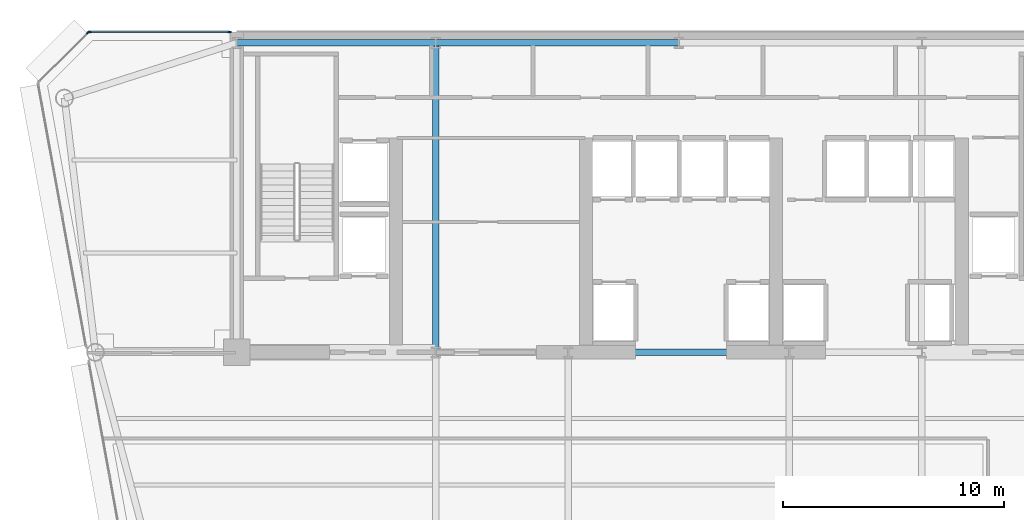
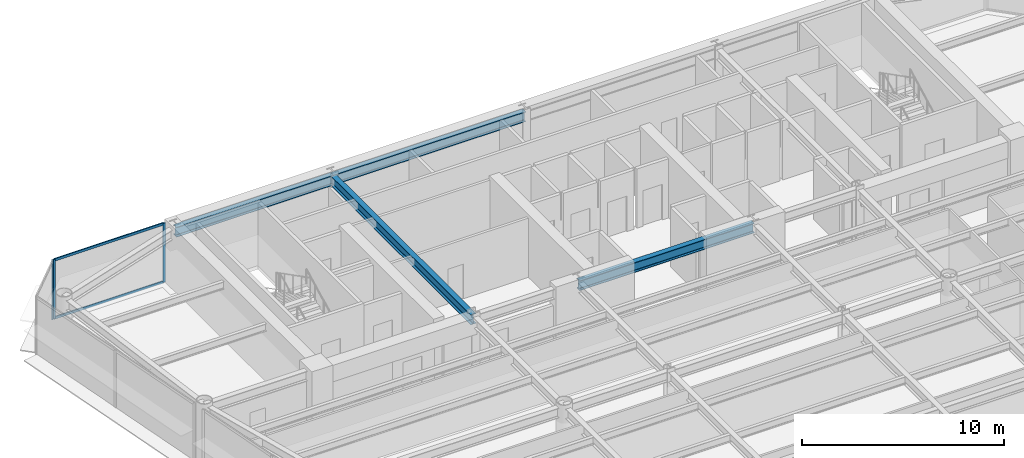
# One storey, part 8 of 17: 5 members, 4 beams, 2 elements without a shape of their own.
"""IFC4 building model written with IfcOpenShell, lengths in metres."""

from ifc_helpers import new_model, si_unit, direction, frame, origin, origin_2d, place, context, subcontext, project, spatial, rectangle, i_section, extrude, source, transform, mapped, material, layer, layer_set, material_profile, profile_set, type_object, element, aggregate, save


model = new_model("IFC4")

# Units and contexts
model_context = context("Model", 3, precision=1e-05, world=origin(), true_north=direction((0.0, 1.0)))
body_context = subcontext(model_context, "Body", "Model", "MODEL_VIEW")
ifc_project = project(units=[si_unit("LENGTHUNIT", "METRE"), si_unit("AREAUNIT", "SQUARE_METRE"), si_unit("VOLUMEUNIT", "CUBIC_METRE"), si_unit("PLANEANGLEUNIT", "RADIAN"), si_unit("MASSUNIT", "GRAM", prefix="KILO")], contexts=[model_context])

# Site, building, storey
site_placement = place(None, origin())
site = spatial("IfcSite", under=ifc_project, at=site_placement, CompositionType="ELEMENT")
building_placement = place(site_placement, origin())
building = spatial("IfcBuilding", under=site, at=building_placement, Name="Vaeldorn Concourse Tower", CompositionType="ELEMENT")
storey_placement = place(building_placement, frame((0.0, 0.0, 172.800048828125)))
storey = spatial("IfcBuildingStorey", under=building, at=storey_placement, Name="L44", CompositionType="ELEMENT", Elevation=172.800048828125)

# Beams
ifc_material_1 = material(Name="Steel S355", Category="steel")
ifc_material_profile_1 = material_profile(ifc_material_1, i_section(OverallWidth=0.300048828125, OverallDepth=0.60009765625, WebThickness=0.015380859375, FlangeThickness=0.030029296875, FilletRadius=0.027099609375, at=origin_2d()), Name="HEB 600")
ifc_profile_set_1 = profile_set([ifc_material_profile_1], Name="Steel S355")
beam_type = type_object("IfcBeamType", Name="BM-PG-HEB600", PredefinedType="BEAM", material=ifc_profile_set_1)
shared_shape_1 = source(origin(), body_context, "Body", "SweptSolid", [
    extrude(i_section(OverallWidth=0.300048828125, OverallDepth=0.60009765625, WebThickness=0.015380859375, FlangeThickness=0.030029296875, FilletRadius=0.027099609375, at=origin_2d()), origin(), (0.0, 0.0, 1.0), 10.0),
])
beam_1_placement = place(storey_placement, frame((29.0, 36.5, 3.280029296875), z_axis=(1.0, 0.0, 0.0), x_axis=(0.0, 1.0, 0.0)))
element("IfcBeam", 1, at=beam_1_placement, inside=storey, type_object=beam_type, Name="Beam BM-L44-C-FC3-C-FC4", PredefinedType="BEAM", context=body_context, shape_type="MappedRepresentation", body=[
    mapped(shared_shape_1, transform((0.0, 0.0, 0.0), scale=1.0)),
])
shared_shape_2 = source(origin(), body_context, "Body", "SweptSolid", [
    extrude(i_section(OverallWidth=0.300048828125, OverallDepth=0.60009765625, WebThickness=0.015380859375, FlangeThickness=0.030029296875, FilletRadius=0.027099609375, at=origin_2d()), origin(), (0.0, 0.0, 1.0), 9.0),
])
beam_2_placement = place(storey_placement, frame((14.0, 50.5, 3.280029296875), z_axis=(1.0, 0.0, 0.0), x_axis=(0.0, 1.0, 0.0)))
element("IfcBeam", 2, at=beam_2_placement, inside=storey, type_object=beam_type, Name="Beam BM-L44-C-HC1-C-HC2", PredefinedType="BEAM", context=body_context, shape_type="MappedRepresentation", body=[
    mapped(shared_shape_2, transform((0.0, 0.0, 0.0), scale=1.0)),
])
shared_shape_3 = source(origin(), body_context, "Body", "SweptSolid", [
    extrude(i_section(OverallWidth=0.300048828125, OverallDepth=0.60009765625, WebThickness=0.015380859375, FlangeThickness=0.030029296875, FilletRadius=0.027099609375, at=origin_2d()), origin(), (0.0, 0.0, 1.0), 11.0),
])
beam_3_placement = place(storey_placement, frame((23.0, 50.5, 3.280029296875), z_axis=(1.0, 0.0, 0.0), x_axis=(0.0, 1.0, 0.0)))
element("IfcBeam", 3, at=beam_3_placement, inside=storey, type_object=beam_type, Name="Beam BM-L44-C-HC2-C-HC3", PredefinedType="BEAM", context=body_context, shape_type="MappedRepresentation", body=[
    mapped(shared_shape_3, transform((0.0, 0.0, 0.0), scale=1.0)),
])
shared_shape_4 = source(origin(), body_context, "Body", "SweptSolid", [
    extrude(i_section(OverallWidth=0.300048828125, OverallDepth=0.60009765625, WebThickness=0.015380859375, FlangeThickness=0.030029296875, FilletRadius=0.027099609375, at=origin_2d()), origin(), (0.0, 0.0, 1.0), 14.0),
])
beam_4_placement = place(storey_placement, frame((23.0, 36.5, 3.280029296875), z_axis=(0.0, 1.0, 0.0), x_axis=(-1.0, 0.0, 0.0)))
element("IfcBeam", 4, at=beam_4_placement, inside=storey, type_object=beam_type, Name="Beam BM-L44-C-FC2-C-HC2", PredefinedType="BEAM", context=body_context, shape_type="MappedRepresentation", body=[
    mapped(shared_shape_4, transform((0.0, 0.0, 0.0), scale=1.0)),
])

# Curtain wall, members
ifc_material_2 = material(Name="Anodised Bronze Aluminium", Category="aluminium")
ifc_layer = layer(ifc_material_2, 0.18994140625)
ifc_layer_set = layer_set([ifc_layer], Name="Anodised Bronze Aluminium")
curtain_wall_type = type_object("IfcCurtainWallType", Name="CW-SYS-03", PredefinedType="NOTDEFINED", material=ifc_layer_set)
curtain_wall_1_placement = place(storey_placement, origin())
curtain_wall_1 = element("IfcCurtainWall", 5, at=curtain_wall_1_placement, inside=storey, type_object=curtain_wall_type, Name="Unitised Curtain Wall CW-L44-E09-2", PredefinedType="NOTDEFINED")
ifc_material_profile_2 = material_profile(ifc_material_2, rectangle(XDim=0.06494140625, YDim=0.169921875, at=origin_2d()), Name="CWM 65x170")
ifc_profile_set_2 = profile_set([ifc_material_profile_2], Name="Anodised Bronze Aluminium")
member_type_1 = type_object("IfcMemberType", Name="CWM-BRONZE-170", PredefinedType="MULLION", material=ifc_profile_set_2)
shared_shape_5 = source(origin(), body_context, "Body", "SweptSolid", [
    extrude(rectangle(XDim=0.06494140625, YDim=0.169921875, at=origin_2d()), origin(), (0.0, 0.0, 1.0), 3.579833984375),
])
member_1_placement = place(storey_placement, frame((13.672607421875, 51.0, 0.0), z_axis=(0.0, 0.0, 1.0), x_axis=(0.0, -1.0, 0.0)))
member_1 = element("IfcMember", 6, at=member_1_placement, type_object=member_type_1, Name="CW-03 mullion 1", PredefinedType="MULLION", context=body_context, shape_type="MappedRepresentation", body=[
    mapped(shared_shape_5, transform((0.0, 0.0, 0.0), scale=1.0)),
])
member_2_placement = place(storey_placement, frame((7.33251953125, 51.0, 0.0), z_axis=(0.0, 0.0, 1.0), x_axis=(0.0, -1.0, 0.0)))
member_2 = element("IfcMember", 7, at=member_2_placement, type_object=member_type_1, Name="CW-03 mullion 2", PredefinedType="MULLION", context=body_context, shape_type="MappedRepresentation", body=[
    mapped(shared_shape_5, transform((0.0, 0.0, 0.0), scale=1.0)),
])

# Curtain wall, member
curtain_wall_2_placement = place(storey_placement, origin())
curtain_wall_2 = element("IfcCurtainWall", 8, at=curtain_wall_2_placement, inside=storey, type_object=curtain_wall_type, Name="Unitised Curtain Wall CW-L44-E10-1", PredefinedType="NOTDEFINED")
member_3_placement = place(storey_placement, frame((7.277099609375, 50.97705078125, 0.0), z_axis=(0.0, 0.0, 1.0), x_axis=(0.707106781187, -0.707106781187, 0.0)))
member_3 = element("IfcMember", 9, at=member_3_placement, type_object=member_type_1, Name="CW-03 mullion 1", PredefinedType="MULLION", context=body_context, shape_type="MappedRepresentation", body=[
    mapped(shared_shape_5, transform((0.0, 0.0, 0.0), scale=1.0)),
])
aggregate(curtain_wall_2, [member_3])

# Member
ifc_material_profile_3 = material_profile(ifc_material_2, rectangle(XDim=0.06494140625, YDim=0.14990234375, at=origin_2d()), Name="CWT 65x150")
ifc_profile_set_3 = profile_set([ifc_material_profile_3], Name="Anodised Bronze Aluminium")
member_type_2 = type_object("IfcMemberType", Name="CWT-BRONZE-150", PredefinedType="USERDEFINED", material=ifc_profile_set_3)
shared_shape_6 = source(origin(), body_context, "Body", "SweptSolid", [
    extrude(rectangle(XDim=0.06494140625, YDim=0.14990234375, at=origin_2d()), origin(), (0.0, 0.0, 1.0), 6.27490234375),
])
member_4_placement = place(storey_placement, frame((13.639892578125, 51.0, 0.032470703125), z_axis=(-1.0, 0.0, 0.0), x_axis=(0.0, -1.0, 0.0)))
member_4 = element("IfcMember", 10, at=member_4_placement, type_object=member_type_2, Name="CW-03 transom 1.1", ObjectType="TRANSOM", PredefinedType="USERDEFINED", context=body_context, shape_type="MappedRepresentation", body=[
    mapped(shared_shape_6, transform((0.0, 0.0, 0.0), scale=1.0)),
])

member_5_placement = place(storey_placement, frame((13.639892578125, 51.0, 3.54736328125), z_axis=(-1.0, 0.0, 0.0), x_axis=(0.0, -1.0, 0.0)))
member_5 = element("IfcMember", 11, at=member_5_placement, type_object=member_type_2, Name="CW-03 transom 1.2", ObjectType="TRANSOM", PredefinedType="USERDEFINED", context=body_context, shape_type="MappedRepresentation", body=[
    mapped(shared_shape_6, transform((0.0, 0.0, 0.0), scale=1.0)),
])

aggregate(curtain_wall_1, [member_1, member_2, member_4, member_5])

save(model, "model.ifc")
